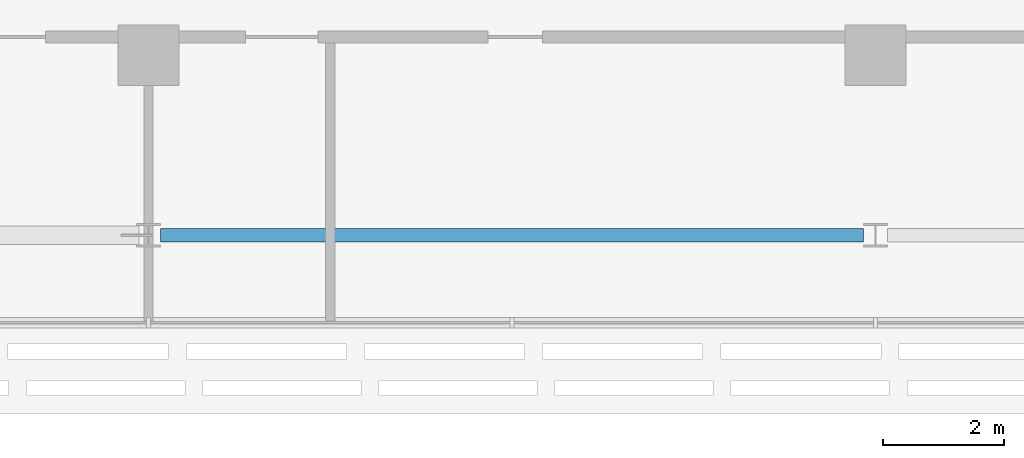
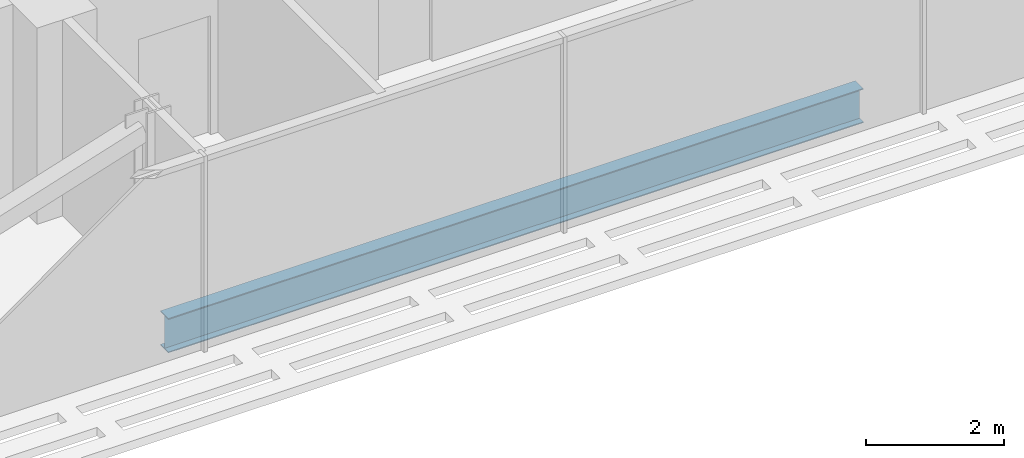
# One storey, part 6 of 32: 1 beam.
"""IFC4 building model written with IfcOpenShell, lengths in metres."""

from ifc_helpers import new_model, si_unit, direction, frame, origin, origin_2d, place, context, subcontext, project, spatial, i_section, extrude, material, material_profile, profile_set, type_object, element, save


model = new_model("IFC4")

# Units and contexts
model_context = context("Model", 3, precision=1e-05, world=origin(), true_north=direction((0.0, 1.0)))
body_context = subcontext(model_context, "Body", "Model", "MODEL_VIEW")
ifc_project = project(units=[si_unit("LENGTHUNIT", "METRE"), si_unit("AREAUNIT", "SQUARE_METRE"), si_unit("VOLUMEUNIT", "CUBIC_METRE"), si_unit("PLANEANGLEUNIT", "RADIAN"), si_unit("MASSUNIT", "GRAM", prefix="KILO")], contexts=[model_context])

# Site, building, storey
site_placement = place(None, origin())
site = spatial("IfcSite", under=ifc_project, at=site_placement, CompositionType="ELEMENT")
building_placement = place(site_placement, origin())
building = spatial("IfcBuilding", under=site, at=building_placement, Name="Mahtab Terrace Research Tower", CompositionType="ELEMENT")
storey_placement = place(building_placement, frame((0.0, 0.0, 240.0)))
storey = spatial("IfcBuildingStorey", under=building, at=storey_placement, Name="L58", CompositionType="ELEMENT", Elevation=240.0)

# Beam
ifc_material = material(Name="Steel ASTM A992 Gr 50", Category="steel")
ifc_material_profile = material_profile(ifc_material, i_section(OverallWidth=0.228271484375, OverallDepth=0.607177734375, WebThickness=0.01123046875, FlangeThickness=0.017333984375, at=origin_2d()), Name="W24X76")
ifc_profile_set = profile_set([ifc_material_profile], Name="Steel ASTM A992 Gr 50")
beam_type = type_object("IfcBeamType", Name="W24x76 beam BS2476", PredefinedType="BEAM", material=ifc_profile_set)
beam_placement = place(storey_placement, frame((-17.800537109375, -14.472900390625, -0.6435546875), z_axis=(1.0, 0.0, 0.0), x_axis=(0.0, 1.0, 0.0)))
element("IfcBeam", 1, at=beam_placement, inside=storey, type_object=beam_type, Name="Spandrel beam L58 14", PredefinedType="BEAM", context=body_context, shape_type="SweptSolid", body=[
    extrude(i_section(OverallWidth=0.228271484375, OverallDepth=0.607177734375, WebThickness=0.01123046875, FlangeThickness=0.017333984375, at=origin_2d()), origin(), (0.0, 0.0, 1.0), 11.60107421875),
])

save(model, "model.ifc")
